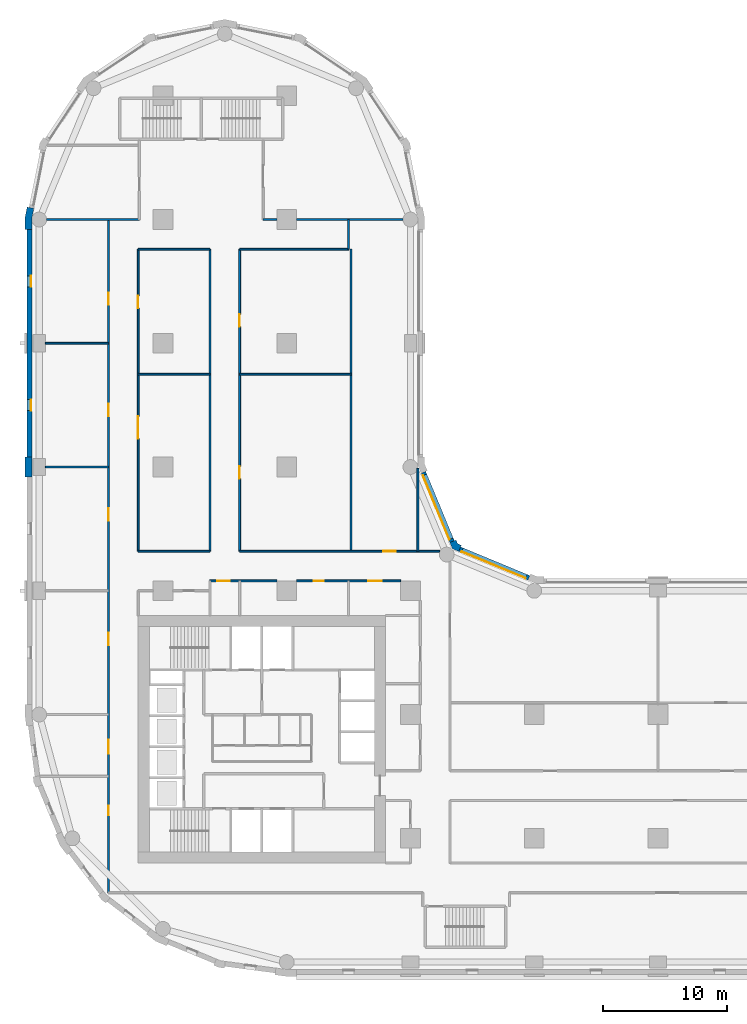
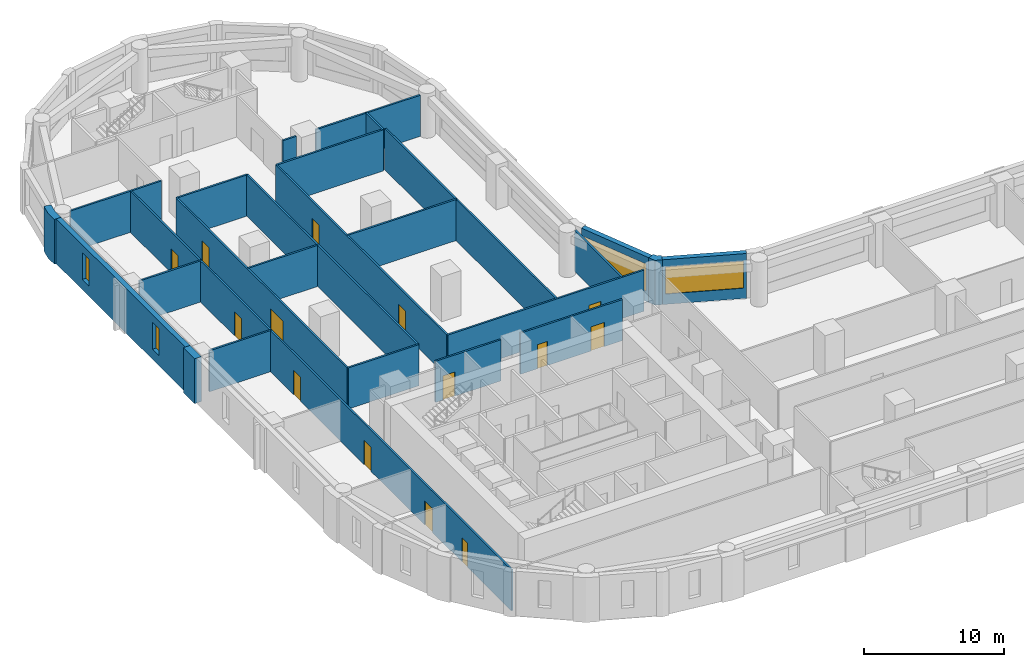
# One storey, part 5 of 10: 26 walls, 14 doors, 4 windows, 18 openings.
"""IFC4 building model written with IfcOpenShell, lengths in metres."""

from ifc_helpers import new_model, si_unit, direction, frame, frame_2d, origin, place, context, subcontext, project, spatial, polyline, rectangle, outline, extrude, material, layer, layer_set, type_object, element, fill, save


model = new_model("IFC4")

# Units and contexts
model_context = context("Model", 3, precision=1e-05, world=origin(), true_north=direction((0.0, 1.0)))
body_context = subcontext(model_context, "Body", "Model", "MODEL_VIEW")
ifc_project = project(units=[si_unit("LENGTHUNIT", "METRE"), si_unit("AREAUNIT", "SQUARE_METRE"), si_unit("VOLUMEUNIT", "CUBIC_METRE"), si_unit("PLANEANGLEUNIT", "RADIAN"), si_unit("MASSUNIT", "GRAM", prefix="KILO")], contexts=[model_context])

# Site, building, storey
site_placement = place(None, origin())
site = spatial("IfcSite", under=ifc_project, at=site_placement, CompositionType="ELEMENT")
building_placement = place(site_placement, origin())
building = spatial("IfcBuilding", under=site, at=building_placement, Name="Qaws Garden Tower", CompositionType="ELEMENT")
storey_placement = place(building_placement, frame((0.0, 0.0, 12.0)))
storey = spatial("IfcBuildingStorey", under=building, at=storey_placement, Name="L02", CompositionType="ELEMENT", Elevation=12.0)

# Wall, opening, window
ifc_material_1 = material(Name="Clay facing brick masonry", Category="masonry")
ifc_layer_1 = layer(ifc_material_1, 0.39990234375)
ifc_layer_set_1 = layer_set([ifc_layer_1], Name="Clay facing brick masonry")
wall_type_1 = type_object("IfcWallType", Name="Brick infill wall 400", PredefinedType="SOLIDWALL", material=ifc_layer_set_1)
wall_1_placement = place(storey_placement, frame((39.56689453125, 31.04541015625, 0.0), z_axis=(0.0, 0.0, 1.0), x_axis=(-0.923891000409, 0.382655745237, 0.0)))
wall_1 = element("IfcWall", 1, at=wall_1_placement, inside=storey, type_object=wall_type_1, Name="E-L02-infill-11", PredefinedType="SOLIDWALL", context=body_context, shape_type="SweptSolid", body=[
    extrude(rectangle(XDim=6.053466796875, YDim=0.39990234375, at=frame_2d((3.02685546875, 0.0))), origin(), (0.0, 0.0, 1.0), 3.89990234375),
])
opening_1_placement = place(wall_1_placement, frame((0.226806640625, 0.0, 0.89990234375)))
opening_1 = element("IfcOpeningElement", 2, at=opening_1_placement, cuts=wall_1, Name="Opening W04", PredefinedType="OPENING", context=body_context, shape_type="SweptSolid", body=[
    extrude(rectangle(XDim=5.60009765625, YDim=2.35009765625, at=frame_2d((2.800048828125, 1.175048828125))), frame((0.0, 0.2099609375, 0.0), z_axis=(0.0, -1.0, 0.0), x_axis=(1.0, 0.0, 0.0)), (0.0, 0.0, 1.0), 0.419921875),
])
ifc_material_2 = material(Name="Aluminium framed window, clear glazing", Category="aluminium")
window_type_1 = type_object("IfcWindowType", Name="Ribbon window 5600 x 2350", PartitioningType="DOUBLE_PANEL_VERTICAL", PredefinedType="WINDOW", material=ifc_material_2)
window_1_placement = place(opening_1_placement, origin())
window_1 = element("IfcWindow", 3, at=window_1_placement, inside=storey, type_object=window_type_1, Name="E-L02-window-11-0", OverallHeight=2.35009765625, OverallWidth=5.60009765625, PartitioningType="SINGLE_PANEL", PredefinedType="WINDOW", context=body_context, shape_type="SweptSolid", body=[
    extrude(rectangle(XDim=5.60009765625, YDim=2.35009765625, at=frame_2d((2.800048828125, 1.175048828125))), frame((0.0, 0.159912109375, 0.0), z_axis=(0.0, -1.0, 0.0), x_axis=(1.0, 0.0, 0.0)), (0.0, 0.0, 1.0), 0.06005859375),
])
fill(opening_1, window_1)

wall_2_placement = place(storey_placement, frame((33.36181640625, 33.97412109375, 0.0), z_axis=(0.0, 0.0, 1.0), x_axis=(-0.382655745237, 0.923891000409, 0.0)))
wall_2 = element("IfcWall", 4, at=wall_2_placement, inside=storey, type_object=wall_type_1, Name="E-L02-infill-12", PredefinedType="SOLIDWALL", context=body_context, shape_type="SweptSolid", body=[
    extrude(rectangle(XDim=6.053466796875, YDim=0.39990234375, at=frame_2d((3.02685546875, 0.0))), origin(), (0.0, 0.0, 1.0), 3.89990234375),
])
opening_2_placement = place(wall_2_placement, frame((0.226806640625, 0.0, 0.89990234375)))
opening_2 = element("IfcOpeningElement", 5, at=opening_2_placement, cuts=wall_2, Name="Opening W04", PredefinedType="OPENING", context=body_context, shape_type="SweptSolid", body=[
    extrude(rectangle(XDim=5.60009765625, YDim=2.35009765625, at=frame_2d((2.800048828125, 1.175048828125))), frame((0.0, 0.2099609375, 0.0), z_axis=(0.0, -1.0, 0.0), x_axis=(1.0, 0.0, 0.0)), (0.0, 0.0, 1.0), 0.419921875),
])
window_2_placement = place(opening_2_placement, origin())
window_2 = element("IfcWindow", 6, at=window_2_placement, inside=storey, type_object=window_type_1, Name="E-L02-window-12-0", OverallHeight=2.35009765625, OverallWidth=5.60009765625, PartitioningType="SINGLE_PANEL", PredefinedType="WINDOW", context=body_context, shape_type="SweptSolid", body=[
    extrude(rectangle(XDim=5.60009765625, YDim=2.35009765625, at=frame_2d((2.800048828125, 1.175048828125))), frame((0.0, 0.159912109375, 0.0), z_axis=(0.0, -1.0, 0.0), x_axis=(1.0, 0.0, 0.0)), (0.0, 0.0, 1.0), 0.06005859375),
])
fill(opening_2, window_2)

# Wall, openings, windows
wall_3_placement = place(storey_placement, frame((-0.800048828125, 59.199951171875, 0.0), z_axis=(0.0, 0.0, 1.0), x_axis=(0.0, -1.0, 0.0)))
wall_3 = element("IfcWall", 7, at=wall_3_placement, inside=storey, type_object=wall_type_1, Name="E-L02-infill-23", PredefinedType="SOLIDWALL", context=body_context, shape_type="SweptSolid", body=[
    extrude(rectangle(XDim=18.39990234375, YDim=0.39990234375, at=frame_2d((9.199951171875, 0.0))), origin(), (0.0, 0.0, 1.0), 3.89990234375),
])
opening_3_placement = place(wall_3_placement, frame((3.75, 0.0, 0.89990234375)))
opening_3 = element("IfcOpeningElement", 8, at=opening_3_placement, cuts=wall_3, Name="Opening W09", PredefinedType="OPENING", context=body_context, shape_type="SweptSolid", body=[
    extrude(rectangle(XDim=0.89990234375, YDim=2.35009765625, at=frame_2d((0.449951171875, 1.175048828125))), frame((0.0, 0.2099609375, 0.0), z_axis=(0.0, -1.0, 0.0), x_axis=(1.0, 0.0, 0.0)), (0.0, 0.0, 1.0), 0.419921875),
])
opening_4_placement = place(wall_3_placement, frame((13.75, 0.0, 0.89990234375)))
opening_4 = element("IfcOpeningElement", 9, at=opening_4_placement, cuts=wall_3, Name="Opening W09", PredefinedType="OPENING", context=body_context, shape_type="SweptSolid", body=[
    extrude(rectangle(XDim=0.89990234375, YDim=2.35009765625, at=frame_2d((0.449951171875, 1.175048828125))), frame((0.0, 0.2099609375, 0.0), z_axis=(0.0, -1.0, 0.0), x_axis=(1.0, 0.0, 0.0)), (0.0, 0.0, 1.0), 0.419921875),
])
ifc_material_3 = material(Name="Aluminium framed window, clear glazing", Category="aluminium")
window_type_2 = type_object("IfcWindowType", Name="Slit window 900 x 2350", PartitioningType="SINGLE_PANEL", PredefinedType="WINDOW", material=ifc_material_3)
window_3_placement = place(opening_3_placement, origin())
window_3 = element("IfcWindow", 10, at=window_3_placement, inside=storey, type_object=window_type_2, Name="E-L02-window-23-0", OverallHeight=2.35009765625, OverallWidth=0.89990234375, PartitioningType="SINGLE_PANEL", PredefinedType="WINDOW", context=body_context, shape_type="SweptSolid", body=[
    extrude(rectangle(XDim=0.89990234375, YDim=2.35009765625, at=frame_2d((0.449951171875, 1.175048828125))), frame((0.0, 0.159912109375, 0.0), z_axis=(0.0, -1.0, 0.0), x_axis=(1.0, 0.0, 0.0)), (0.0, 0.0, 1.0), 0.06005859375),
])
fill(opening_3, window_3)
window_4_placement = place(opening_4_placement, origin())
window_4 = element("IfcWindow", 11, at=window_4_placement, inside=storey, type_object=window_type_2, Name="E-L02-window-24-0", OverallHeight=2.35009765625, OverallWidth=0.89990234375, PartitioningType="SINGLE_PANEL", PredefinedType="WINDOW", context=body_context, shape_type="SweptSolid", body=[
    extrude(rectangle(XDim=0.89990234375, YDim=2.35009765625, at=frame_2d((0.449951171875, 1.175048828125))), frame((0.0, 0.159912109375, 0.0), z_axis=(0.0, -1.0, 0.0), x_axis=(1.0, 0.0, 0.0)), (0.0, 0.0, 1.0), 0.06005859375),
])
fill(opening_4, window_4)

# Walls
ifc_material_4 = material(Name="Clay facing brick masonry", Category="masonry")
ifc_layer_2 = layer(ifc_material_4, 0.550048828125)
ifc_layer_set_2 = layer_set([ifc_layer_2], Name="Clay facing brick masonry")
wall_type_2 = type_object("IfcWallType", Name="Brick pier 550 x 1600", PredefinedType="SOLIDWALL", material=ifc_layer_set_2)
placement = place(storey_placement, origin())
element("IfcWall", 12, at=placement, inside=storey, type_object=wall_type_2, Name="E-L02-pier-12", PredefinedType="SOLIDWALL", context=body_context, shape_type="SweptSolid", body=[
    extrude(outline(polyline([(34.05078125, 33.546630859375), (34.108154296875, 33.685302734375), (33.80908203125, 33.80908203125), (33.685302734375, 34.108154296875), (33.546630859375, 34.05078125), (33.177001953125, 33.897705078125), (33.38818359375, 33.38818359375), (33.897705078125, 33.177001953125), (34.05078125, 33.546630859375)])), origin(), (0.0, 0.0, 1.0), 3.89990234375),
])
element("IfcWall", 13, at=placement, inside=storey, type_object=wall_type_2, Name="E-L02-pier-23", PredefinedType="SOLIDWALL", context=body_context, shape_type="SweptSolid", body=[
    extrude(outline(polyline([(-0.82470703125, 60.979736328125), (-0.971923828125, 61.009033203125), (-1.14990234375, 60.11328125), (-1.14990234375, 59.199951171875), (-1.0, 59.199951171875), (-0.60009765625, 59.199951171875), (-0.60009765625, 60.05908203125), (-0.432373046875, 60.901611328125), (-0.82470703125, 60.979736328125)])), origin(), (0.0, 0.0, 1.0), 3.89990234375),
])
element("IfcWall", 14, at=placement, inside=storey, type_object=wall_type_2, Name="E-L02-pier-25", PredefinedType="SOLIDWALL", context=body_context, shape_type="SweptSolid", body=[
    extrude(outline(polyline([(-1.0, 40.800048828125), (-1.14990234375, 40.800048828125), (-1.14990234375, 40.0), (-1.14990234375, 39.199951171875), (-1.0, 39.199951171875), (-0.60009765625, 39.199951171875), (-0.60009765625, 40.0), (-0.60009765625, 40.800048828125), (-1.0, 40.800048828125)])), origin(), (0.0, 0.0, 1.0), 3.89990234375),
])

# Wall, openings, doors
ifc_material_5 = material(Name="Gypsum board partition")
ifc_layer_3 = layer(ifc_material_5, 0.14990234375)
ifc_layer_set_3 = layer_set([ifc_layer_3], Name="Gypsum board partition")
wall_type_3 = type_object("IfcWallType", Name="PARTITION 150 EI 60", PredefinedType="PARTITIONING", material=ifc_layer_set_3)
wall_7_placement = place(storey_placement, frame((5.60009765625, 5.60009765625, 0.0), z_axis=(0.0, 0.0, 1.0), x_axis=(0.0, 1.0, 0.0)))
wall_7 = element("IfcWall", 15, at=wall_7_placement, inside=storey, type_object=wall_type_3, Name="O-L02-wall-002", PredefinedType="PARTITIONING", context=body_context, shape_type="SweptSolid", body=[
    extrude(rectangle(XDim=54.39990234375, YDim=0.14990234375, at=frame_2d((27.199951171875, 0.0))), origin(), (0.0, 0.0, 1.0), 3.580078125),
])
opening_5_placement = place(wall_7_placement, frame((6.25, 0.0, 0.0)))
opening_5 = element("IfcOpeningElement", 16, at=opening_5_placement, cuts=wall_7, Name="Opening A101", PredefinedType="OPENING", context=body_context, shape_type="SweptSolid", body=[
    extrude(rectangle(XDim=0.800048828125, YDim=2.10009765625, at=frame_2d((0.39990234375, 1.050048828125))), frame((0.0, 0.0849609375, 0.0), z_axis=(0.0, -1.0, 0.0), x_axis=(1.0, 0.0, 0.0)), (0.0, 0.0, 1.0), 0.169921875),
])
opening_6_placement = place(wall_7_placement, frame((11.25, 0.0, 0.0)))
opening_6 = element("IfcOpeningElement", 17, at=opening_6_placement, cuts=wall_7, Name="Opening A102", PredefinedType="OPENING", context=body_context, shape_type="SweptSolid", body=[
    extrude(rectangle(XDim=1.10009765625, YDim=2.10009765625, at=frame_2d((0.550048828125, 1.050048828125))), frame((0.0, 0.0849609375, 0.0), z_axis=(0.0, -1.0, 0.0), x_axis=(1.0, 0.0, 0.0)), (0.0, 0.0, 1.0), 0.169921875),
])
opening_7_placement = place(wall_7_placement, frame((20.0, 0.0, 0.0)))
opening_7 = element("IfcOpeningElement", 18, at=opening_7_placement, cuts=wall_7, Name="Opening A112", PredefinedType="OPENING", context=body_context, shape_type="SweptSolid", body=[
    extrude(rectangle(XDim=1.0, YDim=2.10009765625, at=frame_2d((0.5, 1.050048828125))), frame((0.0, 0.0849609375, 0.0), z_axis=(0.0, -1.0, 0.0), x_axis=(1.0, 0.0, 0.0)), (0.0, 0.0, 1.0), 0.169921875),
])
opening_8_placement = place(wall_7_placement, frame((30.050048828125, 0.0, 0.0)))
opening_8 = element("IfcOpeningElement", 19, at=opening_8_placement, cuts=wall_7, Name="Opening A119", PredefinedType="OPENING", context=body_context, shape_type="SweptSolid", body=[
    extrude(rectangle(XDim=1.0, YDim=2.10009765625, at=frame_2d((0.5, 1.050048828125))), frame((0.0, 0.0849609375, 0.0), z_axis=(0.0, -1.0, 0.0), x_axis=(1.0, 0.0, 0.0)), (0.0, 0.0, 1.0), 0.169921875),
])
opening_9_placement = place(wall_7_placement, frame((38.5, 0.0, 0.0)))
opening_9 = element("IfcOpeningElement", 20, at=opening_9_placement, cuts=wall_7, Name="Opening A120", PredefinedType="OPENING", context=body_context, shape_type="SweptSolid", body=[
    extrude(rectangle(XDim=1.0, YDim=2.10009765625, at=frame_2d((0.5, 1.050048828125))), frame((0.0, 0.0849609375, 0.0), z_axis=(0.0, -1.0, 0.0), x_axis=(1.0, 0.0, 0.0)), (0.0, 0.0, 1.0), 0.169921875),
])
opening_10_placement = place(wall_7_placement, frame((47.5, 0.0, 0.0)))
opening_10 = element("IfcOpeningElement", 21, at=opening_10_placement, cuts=wall_7, Name="Opening A121", PredefinedType="OPENING", context=body_context, shape_type="SweptSolid", body=[
    extrude(rectangle(XDim=1.0, YDim=2.10009765625, at=frame_2d((0.5, 1.050048828125))), frame((0.0, 0.0849609375, 0.0), z_axis=(0.0, -1.0, 0.0), x_axis=(1.0, 0.0, 0.0)), (0.0, 0.0, 1.0), 0.169921875),
])
ifc_material_6 = material(Name="Timber door leaf", Category="wood")
door_type_1 = type_object("IfcDoorType", Name="SERVICE ROOM DOOR 1100 X 2100", OperationType="SINGLE_SWING_LEFT", PredefinedType="DOOR", material=ifc_material_6)
door_1_placement = place(opening_6_placement, origin())
door_1 = element("IfcDoor", 22, at=door_1_placement, inside=storey, type_object=door_type_1, Name="O-L02-door-002", OperationType="SINGLE_SWING_RIGHT", OverallHeight=2.10009765625, OverallWidth=1.10009765625, PredefinedType="DOOR", context=body_context, shape_type="SweptSolid", body=[
    extrude(rectangle(XDim=1.10009765625, YDim=2.10009765625, at=frame_2d((0.550048828125, 1.050048828125))), frame((0.0, 0.02490234375, 0.0), z_axis=(0.0, -1.0, 0.0), x_axis=(1.0, 0.0, 0.0)), (0.0, 0.0, 1.0), 0.050048828125),
])
fill(opening_6, door_1)
ifc_material_7 = material(Name="Timber door leaf", Category="wood")
door_type_2 = type_object("IfcDoorType", Name="STORE DOOR 800 X 2100", OperationType="SINGLE_SWING_LEFT", PredefinedType="DOOR", material=ifc_material_7)
door_2_placement = place(opening_5_placement, origin())
door_2 = element("IfcDoor", 23, at=door_2_placement, inside=storey, type_object=door_type_2, Name="O-L02-door-001", OperationType="SINGLE_SWING_RIGHT", OverallHeight=2.10009765625, OverallWidth=0.800048828125, PredefinedType="DOOR", context=body_context, shape_type="SweptSolid", body=[
    extrude(rectangle(XDim=0.800048828125, YDim=2.10009765625, at=frame_2d((0.39990234375, 1.050048828125))), frame((0.0, 0.02490234375, 0.0), z_axis=(0.0, -1.0, 0.0), x_axis=(1.0, 0.0, 0.0)), (0.0, 0.0, 1.0), 0.050048828125),
])
fill(opening_5, door_2)
ifc_material_8 = material(Name="Timber door leaf", Category="wood")
door_type_3 = type_object("IfcDoorType", Name="TENANCY ENTRANCE DOOR 1000 X 2100", OperationType="SINGLE_SWING_LEFT", PredefinedType="DOOR", material=ifc_material_8)
door_3_placement = place(opening_7_placement, origin())
door_3 = element("IfcDoor", 24, at=door_3_placement, inside=storey, type_object=door_type_3, Name="O-L02-door-012", OperationType="SINGLE_SWING_RIGHT", OverallHeight=2.10009765625, OverallWidth=1.0, PredefinedType="DOOR", context=body_context, shape_type="SweptSolid", body=[
    extrude(rectangle(XDim=1.0, YDim=2.10009765625, at=frame_2d((0.5, 1.050048828125))), frame((0.0, 0.02490234375, 0.0), z_axis=(0.0, -1.0, 0.0), x_axis=(1.0, 0.0, 0.0)), (0.0, 0.0, 1.0), 0.050048828125),
])
fill(opening_7, door_3)
door_4_placement = place(opening_8_placement, origin())
door_4 = element("IfcDoor", 25, at=door_4_placement, inside=storey, type_object=door_type_3, Name="O-L02-door-019", OperationType="SINGLE_SWING_LEFT", OverallHeight=2.10009765625, OverallWidth=1.0, PredefinedType="DOOR", context=body_context, shape_type="SweptSolid", body=[
    extrude(rectangle(XDim=1.0, YDim=2.10009765625, at=frame_2d((0.5, 1.050048828125))), frame((0.0, 0.02490234375, 0.0), z_axis=(0.0, -1.0, 0.0), x_axis=(1.0, 0.0, 0.0)), (0.0, 0.0, 1.0), 0.050048828125),
])
fill(opening_8, door_4)
door_5_placement = place(opening_9_placement, origin())
door_5 = element("IfcDoor", 26, at=door_5_placement, inside=storey, type_object=door_type_3, Name="O-L02-door-020", OperationType="SINGLE_SWING_LEFT", OverallHeight=2.10009765625, OverallWidth=1.0, PredefinedType="DOOR", context=body_context, shape_type="SweptSolid", body=[
    extrude(rectangle(XDim=1.0, YDim=2.10009765625, at=frame_2d((0.5, 1.050048828125))), frame((0.0, 0.02490234375, 0.0), z_axis=(0.0, -1.0, 0.0), x_axis=(1.0, 0.0, 0.0)), (0.0, 0.0, 1.0), 0.050048828125),
])
fill(opening_9, door_5)
door_6_placement = place(opening_10_placement, origin())
door_6 = element("IfcDoor", 27, at=door_6_placement, inside=storey, type_object=door_type_3, Name="O-L02-door-021", OperationType="SINGLE_SWING_LEFT", OverallHeight=2.10009765625, OverallWidth=1.0, PredefinedType="DOOR", context=body_context, shape_type="SweptSolid", body=[
    extrude(rectangle(XDim=1.0, YDim=2.10009765625, at=frame_2d((0.5, 1.050048828125))), frame((0.0, 0.02490234375, 0.0), z_axis=(0.0, -1.0, 0.0), x_axis=(1.0, 0.0, 0.0)), (0.0, 0.0, 1.0), 0.050048828125),
])
fill(opening_10, door_6)

wall_8_placement = place(storey_placement, frame((8.0, 33.199951171875, 0.0), z_axis=(0.0, 0.0, 1.0), x_axis=(0.0, 1.0, 0.0)))
wall_8 = element("IfcWall", 28, at=wall_8_placement, inside=storey, type_object=wall_type_3, Name="O-L02-wall-004", PredefinedType="PARTITIONING", context=body_context, shape_type="SweptSolid", body=[
    extrude(rectangle(XDim=24.400146484375, YDim=0.14990234375, at=frame_2d((12.2001953125, 0.0))), origin(), (0.0, 0.0, 1.0), 3.580078125),
])
opening_11_placement = place(wall_8_placement, frame((9.10009765625, 0.0, 0.0)))
opening_11 = element("IfcOpeningElement", 29, at=opening_11_placement, cuts=wall_8, Name="Opening A110", PredefinedType="OPENING", context=body_context, shape_type="SweptSolid", body=[
    extrude(rectangle(XDim=1.800048828125, YDim=2.10009765625, at=frame_2d((0.89990234375, 1.050048828125))), frame((0.0, 0.0849609375, 0.0), z_axis=(0.0, -1.0, 0.0), x_axis=(1.0, 0.0, 0.0)), (0.0, 0.0, 1.0), 0.169921875),
])
opening_12_placement = place(wall_8_placement, frame((19.64990234375, 0.0, 0.0)))
opening_12 = element("IfcOpeningElement", 30, at=opening_12_placement, cuts=wall_8, Name="Opening A111", PredefinedType="OPENING", context=body_context, shape_type="SweptSolid", body=[
    extrude(rectangle(XDim=1.0, YDim=2.10009765625, at=frame_2d((0.5, 1.050048828125))), frame((0.0, 0.0849609375, 0.0), z_axis=(0.0, -1.0, 0.0), x_axis=(1.0, 0.0, 0.0)), (0.0, 0.0, 1.0), 0.169921875),
])
ifc_material_9 = material(Name="Timber door leaf", Category="wood")
door_type_4 = type_object("IfcDoorType", Name="DOUBLE DOOR 1800 X 2100", OperationType="DOUBLE_DOOR_SINGLE_SWING", PredefinedType="DOOR", material=ifc_material_9)
door_7_placement = place(opening_11_placement, frame((1.800048828125, 0.0, 0.0), z_axis=(0.0, 0.0, 1.0), x_axis=(-1.0, 0.0, 0.0)))
door_7 = element("IfcDoor", 31, at=door_7_placement, inside=storey, type_object=door_type_4, Name="O-L02-door-010", OperationType="DOUBLE_DOOR_SINGLE_SWING", OverallHeight=2.10009765625, OverallWidth=1.800048828125, PredefinedType="DOOR", context=body_context, shape_type="SweptSolid", body=[
    extrude(rectangle(XDim=1.800048828125, YDim=2.10009765625, at=frame_2d((0.89990234375, 1.050048828125))), frame((0.0, 0.02490234375, 0.0), z_axis=(0.0, -1.0, 0.0), x_axis=(1.0, 0.0, 0.0)), (0.0, 0.0, 1.0), 0.050048828125),
])
fill(opening_11, door_7)
door_8_placement = place(opening_12_placement, frame((1.0, 0.0, 0.0), z_axis=(0.0, 0.0, 1.0), x_axis=(-1.0, 0.0, 0.0)))
door_8 = element("IfcDoor", 32, at=door_8_placement, inside=storey, type_object=door_type_3, Name="O-L02-door-011", OperationType="SINGLE_SWING_RIGHT", OverallHeight=2.10009765625, OverallWidth=1.0, PredefinedType="DOOR", context=body_context, shape_type="SweptSolid", body=[
    extrude(rectangle(XDim=1.0, YDim=2.10009765625, at=frame_2d((0.5, 1.050048828125))), frame((0.0, 0.02490234375, 0.0), z_axis=(0.0, -1.0, 0.0), x_axis=(1.0, 0.0, 0.0)), (0.0, 0.0, 1.0), 0.050048828125),
])
fill(opening_12, door_8)

# Wall
wall_9_placement = place(storey_placement, frame((13.800048828125, 33.199951171875, 0.0), z_axis=(0.0, 0.0, 1.0), x_axis=(0.0, 1.0, 0.0)))
element("IfcWall", 33, at=wall_9_placement, inside=storey, type_object=wall_type_3, Name="O-L02-wall-007", PredefinedType="PARTITIONING", context=body_context, shape_type="SweptSolid", body=[
    extrude(rectangle(XDim=24.400146484375, YDim=0.14990234375, at=frame_2d((12.2001953125, 0.0))), origin(), (0.0, 0.0, 1.0), 3.580078125),
])

# Wall, openings, doors
wall_10_placement = place(storey_placement, frame((16.199951171875, 33.199951171875, 0.0), z_axis=(0.0, 0.0, 1.0), x_axis=(0.0, 1.0, 0.0)))
wall_10 = element("IfcWall", 34, at=wall_10_placement, inside=storey, type_object=wall_type_3, Name="O-L02-wall-009", PredefinedType="PARTITIONING", context=body_context, shape_type="SweptSolid", body=[
    extrude(rectangle(XDim=24.400146484375, YDim=0.14990234375, at=frame_2d((12.2001953125, 0.0))), origin(), (0.0, 0.0, 1.0), 3.580078125),
])
opening_13_placement = place(wall_10_placement, frame((5.85009765625, 0.0, 0.0)))
opening_13 = element("IfcOpeningElement", 35, at=opening_13_placement, cuts=wall_10, Name="Opening A113", PredefinedType="OPENING", context=body_context, shape_type="SweptSolid", body=[
    extrude(rectangle(XDim=1.0, YDim=2.10009765625, at=frame_2d((0.5, 1.050048828125))), frame((0.0, 0.0849609375, 0.0), z_axis=(0.0, -1.0, 0.0), x_axis=(1.0, 0.0, 0.0)), (0.0, 0.0, 1.0), 0.169921875),
])
opening_14_placement = place(wall_10_placement, frame((18.14990234375, 0.0, 0.0)))
opening_14 = element("IfcOpeningElement", 36, at=opening_14_placement, cuts=wall_10, Name="Opening A114", PredefinedType="OPENING", context=body_context, shape_type="SweptSolid", body=[
    extrude(rectangle(XDim=1.0, YDim=2.10009765625, at=frame_2d((0.5, 1.050048828125))), frame((0.0, 0.0849609375, 0.0), z_axis=(0.0, -1.0, 0.0), x_axis=(1.0, 0.0, 0.0)), (0.0, 0.0, 1.0), 0.169921875),
])
door_9_placement = place(opening_13_placement, frame((1.0, 0.0, 0.0), z_axis=(0.0, 0.0, 1.0), x_axis=(-1.0, 0.0, 0.0)))
door_9 = element("IfcDoor", 37, at=door_9_placement, inside=storey, type_object=door_type_3, Name="O-L02-door-013", OperationType="SINGLE_SWING_RIGHT", OverallHeight=2.10009765625, OverallWidth=1.0, PredefinedType="DOOR", context=body_context, shape_type="SweptSolid", body=[
    extrude(rectangle(XDim=1.0, YDim=2.10009765625, at=frame_2d((0.5, 1.050048828125))), frame((0.0, 0.02490234375, 0.0), z_axis=(0.0, -1.0, 0.0), x_axis=(1.0, 0.0, 0.0)), (0.0, 0.0, 1.0), 0.050048828125),
])
fill(opening_13, door_9)
door_10_placement = place(opening_14_placement, frame((1.0, 0.0, 0.0), z_axis=(0.0, 0.0, 1.0), x_axis=(-1.0, 0.0, 0.0)))
door_10 = element("IfcDoor", 38, at=door_10_placement, inside=storey, type_object=door_type_3, Name="O-L02-door-014", OperationType="SINGLE_SWING_RIGHT", OverallHeight=2.10009765625, OverallWidth=1.0, PredefinedType="DOOR", context=body_context, shape_type="SweptSolid", body=[
    extrude(rectangle(XDim=1.0, YDim=2.10009765625, at=frame_2d((0.5, 1.050048828125))), frame((0.0, 0.02490234375, 0.0), z_axis=(0.0, -1.0, 0.0), x_axis=(1.0, 0.0, 0.0)), (0.0, 0.0, 1.0), 0.050048828125),
])
fill(opening_14, door_10)

# Walls
wall_11_placement = place(storey_placement, frame((25.0, 57.60009765625, 0.0), z_axis=(0.0, 0.0, 1.0), x_axis=(0.0, 1.0, 0.0)))
element("IfcWall", 39, at=wall_11_placement, inside=storey, type_object=wall_type_3, Name="O-L02-wall-012", PredefinedType="PARTITIONING", context=body_context, shape_type="SweptSolid", body=[
    extrude(rectangle(XDim=2.39990234375, YDim=0.14990234375, at=frame_2d((1.199951171875, 0.0))), origin(), (0.0, 0.0, 1.0), 3.580078125),
])
wall_12_placement = place(storey_placement, frame((25.199951171875, 33.199951171875, 0.0), z_axis=(0.0, 0.0, 1.0), x_axis=(0.0, 1.0, 0.0)))
element("IfcWall", 40, at=wall_12_placement, inside=storey, type_object=wall_type_3, Name="O-L02-wall-013", PredefinedType="PARTITIONING", context=body_context, shape_type="SweptSolid", body=[
    extrude(rectangle(XDim=24.400146484375, YDim=0.14990234375, at=frame_2d((12.2001953125, 0.0))), origin(), (0.0, 0.0, 1.0), 3.580078125),
])
wall_13_placement = place(storey_placement, frame((30.60009765625, 33.199951171875, 0.0), z_axis=(0.0, 0.0, 1.0), x_axis=(0.0, 1.0, 0.0)))
element("IfcWall", 41, at=wall_13_placement, inside=storey, type_object=wall_type_3, Name="O-L02-wall-016", PredefinedType="PARTITIONING", context=body_context, shape_type="SweptSolid", body=[
    extrude(rectangle(XDim=6.698974609375, YDim=0.14990234375, at=frame_2d((3.349609375, 0.0))), origin(), (0.0, 0.0, 1.0), 3.580078125),
])

# Wall, opening, door
wall_14_placement = place(storey_placement, frame((13.800048828125, 30.800048828125, 0.0), z_axis=(0.0, 0.0, 1.0), x_axis=(1.0, 0.0, 0.0)))
wall_14 = element("IfcWall", 42, at=wall_14_placement, inside=storey, type_object=wall_type_3, Name="O-L02-wall-045", PredefinedType="PARTITIONING", context=body_context, shape_type="SweptSolid", body=[
    extrude(rectangle(XDim=5.39990234375, YDim=0.14990234375, at=frame_2d((2.699951171875, 0.0))), origin(), (0.0, 0.0, 1.0), 3.580078125),
])
opening_15_placement = place(wall_14_placement, frame((0.60009765625, 0.0, 0.0)))
opening_15 = element("IfcOpeningElement", 43, at=opening_15_placement, cuts=wall_14, Name="Opening A118", PredefinedType="OPENING", context=body_context, shape_type="SweptSolid", body=[
    extrude(rectangle(XDim=1.0, YDim=2.10009765625, at=frame_2d((0.5, 1.050048828125))), frame((0.0, 0.0849609375, 0.0), z_axis=(0.0, -1.0, 0.0), x_axis=(1.0, 0.0, 0.0)), (0.0, 0.0, 1.0), 0.169921875),
])
door_11_placement = place(opening_15_placement, frame((1.0, 0.0, 0.0), z_axis=(0.0, 0.0, 1.0), x_axis=(-1.0, 0.0, 0.0)))
door_11 = element("IfcDoor", 44, at=door_11_placement, inside=storey, type_object=door_type_3, Name="O-L02-door-018", OperationType="SINGLE_SWING_RIGHT", OverallHeight=2.10009765625, OverallWidth=1.0, PredefinedType="DOOR", context=body_context, shape_type="SweptSolid", body=[
    extrude(rectangle(XDim=1.0, YDim=2.10009765625, at=frame_2d((0.5, 1.050048828125))), frame((0.0, 0.02490234375, 0.0), z_axis=(0.0, -1.0, 0.0), x_axis=(1.0, 0.0, 0.0)), (0.0, 0.0, 1.0), 0.050048828125),
])
fill(opening_15, door_11)

# Wall, openings, doors
wall_15_placement = place(storey_placement, frame((20.800048828125, 30.800048828125, 0.0), z_axis=(0.0, 0.0, 1.0), x_axis=(1.0, 0.0, 0.0)))
wall_15 = element("IfcWall", 45, at=wall_15_placement, inside=storey, type_object=wall_type_3, Name="O-L02-wall-046", PredefinedType="PARTITIONING", context=body_context, shape_type="SweptSolid", body=[
    extrude(rectangle(XDim=8.39990234375, YDim=0.14990234375, at=frame_2d((4.199951171875, 0.0))), origin(), (0.0, 0.0, 1.0), 3.580078125),
])
opening_16_placement = place(wall_15_placement, frame((1.39990234375, 0.0, 0.0)))
opening_16 = element("IfcOpeningElement", 46, at=opening_16_placement, cuts=wall_15, Name="Opening A108", PredefinedType="OPENING", context=body_context, shape_type="SweptSolid", body=[
    extrude(rectangle(XDim=0.800048828125, YDim=2.10009765625, at=frame_2d((0.39990234375, 1.050048828125))), frame((0.0, 0.0849609375, 0.0), z_axis=(0.0, -1.0, 0.0), x_axis=(1.0, 0.0, 0.0)), (0.0, 0.0, 1.0), 0.169921875),
])
opening_17_placement = place(wall_15_placement, frame((5.800048828125, 0.0, 0.0)))
opening_17 = element("IfcOpeningElement", 47, at=opening_17_placement, cuts=wall_15, Name="Opening A109", PredefinedType="OPENING", context=body_context, shape_type="SweptSolid", body=[
    extrude(rectangle(XDim=1.10009765625, YDim=2.10009765625, at=frame_2d((0.550048828125, 1.050048828125))), frame((0.0, 0.0849609375, 0.0), z_axis=(0.0, -1.0, 0.0), x_axis=(1.0, 0.0, 0.0)), (0.0, 0.0, 1.0), 0.169921875),
])
door_12_placement = place(opening_17_placement, frame((1.10009765625, 0.0, 0.0), z_axis=(0.0, 0.0, 1.0), x_axis=(-1.0, 0.0, 0.0)))
door_12 = element("IfcDoor", 48, at=door_12_placement, inside=storey, type_object=door_type_1, Name="O-L02-door-009", OperationType="SINGLE_SWING_LEFT", OverallHeight=2.10009765625, OverallWidth=1.10009765625, PredefinedType="DOOR", context=body_context, shape_type="SweptSolid", body=[
    extrude(rectangle(XDim=1.10009765625, YDim=2.10009765625, at=frame_2d((0.550048828125, 1.050048828125))), frame((0.0, 0.02490234375, 0.0), z_axis=(0.0, -1.0, 0.0), x_axis=(1.0, 0.0, 0.0)), (0.0, 0.0, 1.0), 0.050048828125),
])
fill(opening_17, door_12)
door_13_placement = place(opening_16_placement, frame((0.800048828125, 0.0, 0.0), z_axis=(0.0, 0.0, 1.0), x_axis=(-1.0, 0.0, 0.0)))
door_13 = element("IfcDoor", 49, at=door_13_placement, inside=storey, type_object=door_type_2, Name="O-L02-door-008", OperationType="SINGLE_SWING_RIGHT", OverallHeight=2.10009765625, OverallWidth=0.800048828125, PredefinedType="DOOR", context=body_context, shape_type="SweptSolid", body=[
    extrude(rectangle(XDim=0.800048828125, YDim=2.10009765625, at=frame_2d((0.39990234375, 1.050048828125))), frame((0.0, 0.02490234375, 0.0), z_axis=(0.0, -1.0, 0.0), x_axis=(1.0, 0.0, 0.0)), (0.0, 0.0, 1.0), 0.050048828125),
])
fill(opening_16, door_13)

# Wall
wall_16_placement = place(storey_placement, frame((8.0, 33.199951171875, 0.0), z_axis=(0.0, 0.0, 1.0), x_axis=(1.0, 0.0, 0.0)))
element("IfcWall", 50, at=wall_16_placement, inside=storey, type_object=wall_type_3, Name="O-L02-wall-047", PredefinedType="PARTITIONING", context=body_context, shape_type="SweptSolid", body=[
    extrude(rectangle(XDim=5.800048828125, YDim=0.14990234375, at=frame_2d((2.89990234375, 0.0))), origin(), (0.0, 0.0, 1.0), 3.580078125),
])

# Wall, opening, door
wall_17_placement = place(storey_placement, frame((16.199951171875, 33.199951171875, 0.0), z_axis=(0.0, 0.0, 1.0), x_axis=(1.0, 0.0, 0.0)))
wall_17 = element("IfcWall", 51, at=wall_17_placement, inside=storey, type_object=wall_type_3, Name="O-L02-wall-048", PredefinedType="PARTITIONING", context=body_context, shape_type="SweptSolid", body=[
    extrude(rectangle(XDim=16.162109375, YDim=0.14990234375, at=frame_2d((8.0810546875, 0.0))), origin(), (0.0, 0.0, 1.0), 3.580078125),
])
opening_18_placement = place(wall_17_placement, frame((11.60009765625, 0.0, 0.0)))
opening_18 = element("IfcOpeningElement", 52, at=opening_18_placement, cuts=wall_17, Name="Opening A115", PredefinedType="OPENING", context=body_context, shape_type="SweptSolid", body=[
    extrude(rectangle(XDim=1.0, YDim=2.10009765625, at=frame_2d((0.5, 1.050048828125))), frame((0.0, 0.0849609375, 0.0), z_axis=(0.0, -1.0, 0.0), x_axis=(1.0, 0.0, 0.0)), (0.0, 0.0, 1.0), 0.169921875),
])
door_14_placement = place(opening_18_placement, origin())
door_14 = element("IfcDoor", 53, at=door_14_placement, inside=storey, type_object=door_type_3, Name="O-L02-door-015", OperationType="SINGLE_SWING_RIGHT", OverallHeight=2.10009765625, OverallWidth=1.0, PredefinedType="DOOR", context=body_context, shape_type="SweptSolid", body=[
    extrude(rectangle(XDim=1.0, YDim=2.10009765625, at=frame_2d((0.5, 1.050048828125))), frame((0.0, 0.02490234375, 0.0), z_axis=(0.0, -1.0, 0.0), x_axis=(1.0, 0.0, 0.0)), (0.0, 0.0, 1.0), 0.050048828125),
])
fill(opening_18, door_14)

# Walls
wall_18_placement = place(storey_placement, frame((0.5, 40.0, 0.0), z_axis=(0.0, 0.0, 1.0), x_axis=(1.0, 0.0, 0.0)))
element("IfcWall", 54, at=wall_18_placement, inside=storey, type_object=wall_type_3, Name="O-L02-wall-049", PredefinedType="PARTITIONING", context=body_context, shape_type="SweptSolid", body=[
    extrude(rectangle(XDim=5.10009765625, YDim=0.14990234375, at=frame_2d((2.550048828125, 0.0))), origin(), (0.0, 0.0, 1.0), 3.580078125),
])
wall_19_placement = place(storey_placement, frame((8.0, 47.5, 0.0), z_axis=(0.0, 0.0, 1.0), x_axis=(1.0, 0.0, 0.0)))
element("IfcWall", 55, at=wall_19_placement, inside=storey, type_object=wall_type_3, Name="O-L02-wall-050", PredefinedType="PARTITIONING", context=body_context, shape_type="SweptSolid", body=[
    extrude(rectangle(XDim=5.800048828125, YDim=0.14990234375, at=frame_2d((2.89990234375, 0.0))), origin(), (0.0, 0.0, 1.0), 3.580078125),
])
wall_20_placement = place(storey_placement, frame((16.199951171875, 47.5, 0.0), z_axis=(0.0, 0.0, 1.0), x_axis=(1.0, 0.0, 0.0)))
element("IfcWall", 56, at=wall_20_placement, inside=storey, type_object=wall_type_3, Name="O-L02-wall-051", PredefinedType="PARTITIONING", context=body_context, shape_type="SweptSolid", body=[
    extrude(rectangle(XDim=9.0, YDim=0.14990234375, at=frame_2d((4.5, 0.0))), origin(), (0.0, 0.0, 1.0), 3.580078125),
])
wall_21_placement = place(storey_placement, frame((0.5, 50.0, 0.0), z_axis=(0.0, 0.0, 1.0), x_axis=(1.0, 0.0, 0.0)))
element("IfcWall", 57, at=wall_21_placement, inside=storey, type_object=wall_type_3, Name="O-L02-wall-052", PredefinedType="PARTITIONING", context=body_context, shape_type="SweptSolid", body=[
    extrude(rectangle(XDim=5.10009765625, YDim=0.14990234375, at=frame_2d((2.550048828125, 0.0))), origin(), (0.0, 0.0, 1.0), 3.580078125),
])
wall_22_placement = place(storey_placement, frame((8.0, 57.60009765625, 0.0), z_axis=(0.0, 0.0, 1.0), x_axis=(1.0, 0.0, 0.0)))
element("IfcWall", 58, at=wall_22_placement, inside=storey, type_object=wall_type_3, Name="O-L02-wall-053", PredefinedType="PARTITIONING", context=body_context, shape_type="SweptSolid", body=[
    extrude(rectangle(XDim=5.800048828125, YDim=0.14990234375, at=frame_2d((2.89990234375, 0.0))), origin(), (0.0, 0.0, 1.0), 3.580078125),
])
wall_23_placement = place(storey_placement, frame((16.199951171875, 57.60009765625, 0.0), z_axis=(0.0, 0.0, 1.0), x_axis=(1.0, 0.0, 0.0)))
element("IfcWall", 59, at=wall_23_placement, inside=storey, type_object=wall_type_3, Name="O-L02-wall-054", PredefinedType="PARTITIONING", context=body_context, shape_type="SweptSolid", body=[
    extrude(rectangle(XDim=8.800048828125, YDim=0.14990234375, at=frame_2d((4.39990234375, 0.0))), origin(), (0.0, 0.0, 1.0), 3.580078125),
])
wall_24_placement = place(storey_placement, frame((0.60009765625, 60.0, 0.0), z_axis=(0.0, 0.0, 1.0), x_axis=(1.0, 0.0, 0.0)))
element("IfcWall", 60, at=wall_24_placement, inside=storey, type_object=wall_type_3, Name="O-L02-wall-055", PredefinedType="PARTITIONING", context=body_context, shape_type="SweptSolid", body=[
    extrude(rectangle(XDim=7.5, YDim=0.14990234375, at=frame_2d((3.75, 0.0))), origin(), (0.0, 0.0, 1.0), 3.580078125),
])
wall_25_placement = place(storey_placement, frame((18.10009765625, 60.0, 0.0), z_axis=(0.0, 0.0, 1.0), x_axis=(1.0, 0.0, 0.0)))
element("IfcWall", 61, at=wall_25_placement, inside=storey, type_object=wall_type_3, Name="O-L02-wall-056", PredefinedType="PARTITIONING", context=body_context, shape_type="SweptSolid", body=[
    extrude(rectangle(XDim=1.099853515625, YDim=0.14990234375, at=frame_2d((0.5498046875, 0.0))), origin(), (0.0, 0.0, 1.0), 3.580078125),
])
wall_26_placement = place(storey_placement, frame((20.800048828125, 60.0, 0.0), z_axis=(0.0, 0.0, 1.0), x_axis=(1.0, 0.0, 0.0)))
element("IfcWall", 62, at=wall_26_placement, inside=storey, type_object=wall_type_3, Name="O-L02-wall-057", PredefinedType="PARTITIONING", context=body_context, shape_type="SweptSolid", body=[
    extrude(rectangle(XDim=8.599853515625, YDim=0.14990234375, at=frame_2d((4.2998046875, 0.0))), origin(), (0.0, 0.0, 1.0), 3.580078125),
])

save(model, "model.ifc")
